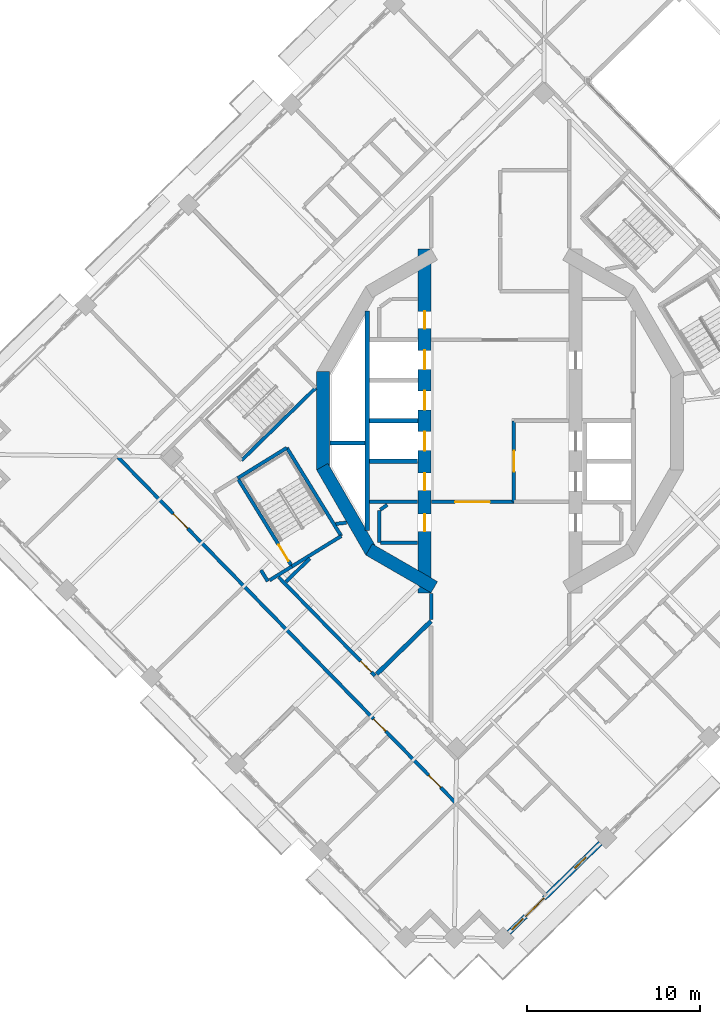
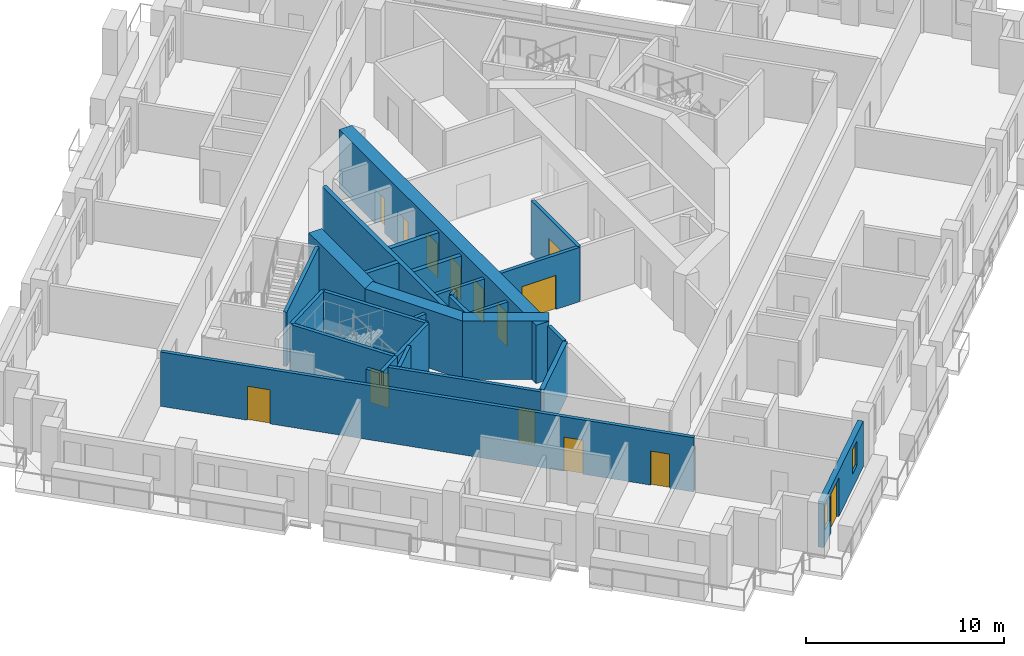
# One storey, part 8 of 20: 28 walls, 14 doors, 2 windows, 16 openings.
"""IFC4 building model written with IfcOpenShell, lengths in metres."""

from ifc_helpers import new_model, si_unit, direction, frame, frame_2d, origin, place, context, subcontext, project, spatial, rectangle, extrude, material, layer, layer_set, type_object, element, fill, save


model = new_model("IFC4")

# Units and contexts
model_context = context("Model", 3, precision=1e-05, world=origin(), true_north=direction((0.0, 1.0)))
body_context = subcontext(model_context, "Body", "Model", "MODEL_VIEW")
ifc_project = project(units=[si_unit("LENGTHUNIT", "METRE"), si_unit("AREAUNIT", "SQUARE_METRE"), si_unit("VOLUMEUNIT", "CUBIC_METRE"), si_unit("PLANEANGLEUNIT", "RADIAN"), si_unit("MASSUNIT", "GRAM", prefix="KILO")], contexts=[model_context])

# Site, building, storey
site_placement = place(None, origin())
site = spatial("IfcSite", under=ifc_project, at=site_placement, CompositionType="ELEMENT")
building_placement = place(site_placement, origin())
building = spatial("IfcBuilding", under=site, at=building_placement, Name="Cantera Rosa Tower", CompositionType="ELEMENT")
storey_placement = place(building_placement, frame((0.0, 0.0, 209.0)))
storey = spatial("IfcBuildingStorey", under=building, at=storey_placement, Name="L44", CompositionType="ELEMENT", Elevation=209.0)

# Wall, openings, doors
ifc_material_1 = material(Name="Gypsum board partition")
ifc_layer_1 = layer(ifc_material_1, 0.199951171875)
ifc_layer_set_1 = layer_set([ifc_layer_1], Name="CORRIDOR WALL 200 H3350")
wall_type_1 = type_object("IfcWallType", Name="CORRIDOR WALL 200 H3350", PredefinedType="PARTITIONING", material=ifc_layer_set_1)
wall_1_placement = place(storey_placement, frame((-22.109130859375, -2.125732421875, 0.0), z_axis=(0.0, 0.0, 1.0), x_axis=(0.698826334324, -0.715291377311, 0.0)))
wall_1 = element("IfcWall", 1, at=wall_1_placement, inside=storey, type_object=wall_type_1, Name="CORRIDOR WALL L44-002", PredefinedType="PARTITIONING", context=body_context, shape_type="SweptSolid", body=[
    extrude(rectangle(XDim=27.97998046875, YDim=0.199951171875, at=frame_2d((13.989990234375, 0.0))), origin(), (0.0, 0.0, 1.0), 3.35009765625),
])
opening_1_placement = place(wall_1_placement, frame((4.550048828125, 0.0, 0.0)))
opening_1 = element("IfcOpeningElement", 2, at=opening_1_placement, cuts=wall_1, Name="Opening L44-038", PredefinedType="OPENING", context=body_context, shape_type="SweptSolid", body=[
    extrude(rectangle(XDim=1.199951171875, YDim=2.10009765625, at=frame_2d((0.60009765625, 1.050048828125))), frame((0.0, 0.10986328125, 0.0), z_axis=(0.0, -1.0, 0.0), x_axis=(1.0, 0.0, 0.0)), (0.0, 0.0, 1.0), 0.219970703125),
])
opening_2_placement = place(wall_1_placement, frame((21.159912109375, 0.0, 0.0)))
opening_2 = element("IfcOpeningElement", 3, at=opening_2_placement, cuts=wall_1, Name="Opening L44-039", PredefinedType="OPENING", context=body_context, shape_type="SweptSolid", body=[
    extrude(rectangle(XDim=1.0, YDim=2.10009765625, at=frame_2d((0.5, 1.050048828125))), frame((0.0, 0.10986328125, 0.0), z_axis=(0.0, -1.0, 0.0), x_axis=(1.0, 0.0, 0.0)), (0.0, 0.0, 1.0), 0.219970703125),
])
opening_3_placement = place(wall_1_placement, frame((25.719970703125, 0.0, 0.0)))
opening_3 = element("IfcOpeningElement", 4, at=opening_3_placement, cuts=wall_1, Name="Opening L44-044", PredefinedType="OPENING", context=body_context, shape_type="SweptSolid", body=[
    extrude(rectangle(XDim=1.0, YDim=2.10009765625, at=frame_2d((0.5, 1.050048828125))), frame((0.0, 0.10986328125, 0.0), z_axis=(0.0, -1.0, 0.0), x_axis=(1.0, 0.0, 0.0)), (0.0, 0.0, 1.0), 0.219970703125),
])
ifc_material_2 = material(Name="Timber door leaf", Category="wood")
door_type_1 = type_object("IfcDoorType", Name="ENTRANCE DOOR 1000x2100", OperationType="NOTDEFINED", PredefinedType="DOOR", material=ifc_material_2)
door_1_placement = place(opening_2_placement, origin())
door_1 = element("IfcDoor", 5, at=door_1_placement, inside=storey, type_object=door_type_1, Name="DOOR L44-039", OperationType="NOTDEFINED", OverallHeight=2.10009765625, OverallWidth=1.0, PredefinedType="DOOR", context=body_context, shape_type="SweptSolid", body=[
    extrude(rectangle(XDim=1.0, YDim=2.10009765625, at=frame_2d((0.5, 1.050048828125))), frame((0.0, 0.02490234375, 0.0), z_axis=(0.0, -1.0, 0.0), x_axis=(1.0, 0.0, 0.0)), (0.0, 0.0, 1.0), 0.050048828125),
])
fill(opening_2, door_1)
ifc_material_3 = material(Name="Timber door leaf", Category="wood")
door_type_2 = type_object("IfcDoorType", Name="ROOM DOOR 1000x2100", OperationType="NOTDEFINED", PredefinedType="DOOR", material=ifc_material_3)
door_2_placement = place(opening_3_placement, origin())
door_2 = element("IfcDoor", 6, at=door_2_placement, inside=storey, type_object=door_type_2, Name="DOOR L44-044", OperationType="NOTDEFINED", OverallHeight=2.10009765625, OverallWidth=1.0, PredefinedType="DOOR", context=body_context, shape_type="SweptSolid", body=[
    extrude(rectangle(XDim=1.0, YDim=2.10009765625, at=frame_2d((0.5, 1.050048828125))), frame((0.0, 0.02490234375, 0.0), z_axis=(0.0, -1.0, 0.0), x_axis=(1.0, 0.0, 0.0)), (0.0, 0.0, 1.0), 0.050048828125),
])
fill(opening_3, door_2)
ifc_material_4 = material(Name="Timber door leaf", Category="wood")
door_type_3 = type_object("IfcDoorType", Name="ROOM DOOR 1200x2100", OperationType="NOTDEFINED", PredefinedType="DOOR", material=ifc_material_4)
door_3_placement = place(opening_1_placement, origin())
door_3 = element("IfcDoor", 7, at=door_3_placement, inside=storey, type_object=door_type_3, Name="DOOR L44-038", OperationType="NOTDEFINED", OverallHeight=2.10009765625, OverallWidth=1.199951171875, PredefinedType="DOOR", context=body_context, shape_type="SweptSolid", body=[
    extrude(rectangle(XDim=1.199951171875, YDim=2.10009765625, at=frame_2d((0.60009765625, 1.050048828125))), frame((0.0, 0.02490234375, 0.0), z_axis=(0.0, -1.0, 0.0), x_axis=(1.0, 0.0, 0.0)), (0.0, 0.0, 1.0), 0.050048828125),
])
fill(opening_1, door_3)

# Walls
wall_2_placement = place(storey_placement, frame((-13.8525390625, -8.64501953125, 0.0), z_axis=(0.0, 0.0, 1.0), x_axis=(0.52482706305, -0.851208877944, 0.0)))
element("IfcWall", 8, at=wall_2_placement, inside=storey, type_object=wall_type_1, Name="CORRIDOR WALL L44-010", PredefinedType="PARTITIONING", context=body_context, shape_type="SweptSolid", body=[
    extrude(rectangle(XDim=0.76513671875, YDim=0.199951171875, at=frame_2d((0.382568359375, 0.0))), origin(), (0.0, 0.0, 1.0), 3.35009765625),
])
wall_3_placement = place(storey_placement, frame((-13.3486328125, -9.2333984375, 0.0), z_axis=(0.0, 0.0, 1.0), x_axis=(0.851042101438, 0.525097459126, 0.0)))
element("IfcWall", 9, at=wall_3_placement, inside=storey, type_object=wall_type_1, Name="CORRIDOR WALL L44-016", PredefinedType="PARTITIONING", context=body_context, shape_type="SweptSolid", body=[
    extrude(rectangle(XDim=1.52490234375, YDim=0.199951171875, at=frame_2d((0.762451171875, 0.0))), origin(), (0.0, 0.0, 1.0), 3.35009765625),
])

# Wall, opening, door
wall_4_placement = place(storey_placement, frame((-12.828125, -9.0498046875, 0.0), z_axis=(0.0, 0.0, 1.0), x_axis=(0.698825688906, -0.715292007871, 0.0)))
wall_4 = element("IfcWall", 10, at=wall_4_placement, inside=storey, type_object=wall_type_1, Name="CORRIDOR WALL L44-019", PredefinedType="PARTITIONING", context=body_context, shape_type="SweptSolid", body=[
    extrude(rectangle(XDim=7.991455078125, YDim=0.199951171875, at=frame_2d((3.99560546875, 0.0))), origin(), (0.0, 0.0, 1.0), 3.35009765625),
])
opening_4_placement = place(wall_4_placement, frame((6.79150390625, 0.0, 0.0)))
opening_4 = element("IfcOpeningElement", 11, at=opening_4_placement, cuts=wall_4, Name="Opening L44-009", PredefinedType="OPENING", context=body_context, shape_type="SweptSolid", body=[
    extrude(rectangle(XDim=0.89990234375, YDim=2.10009765625, at=frame_2d((0.449951171875, 1.050048828125))), frame((0.0, 0.10986328125, 0.0), z_axis=(0.0, -1.0, 0.0), x_axis=(1.0, 0.0, 0.0)), (0.0, 0.0, 1.0), 0.219970703125),
])
ifc_material_5 = material(Name="Timber door leaf", Category="wood")
door_type_4 = type_object("IfcDoorType", Name="SERVICE DOOR 900x2100", OperationType="NOTDEFINED", PredefinedType="DOOR", material=ifc_material_5)
door_4_placement = place(opening_4_placement, origin())
door_4 = element("IfcDoor", 12, at=door_4_placement, inside=storey, type_object=door_type_4, Name="DOOR L44-009", OperationType="NOTDEFINED", OverallHeight=2.10009765625, OverallWidth=0.89990234375, PredefinedType="DOOR", context=body_context, shape_type="SweptSolid", body=[
    extrude(rectangle(XDim=0.89990234375, YDim=2.10009765625, at=frame_2d((0.449951171875, 1.050048828125))), frame((0.0, 0.02490234375, 0.0), z_axis=(0.0, -1.0, 0.0), x_axis=(1.0, 0.0, 0.0)), (0.0, 0.0, 1.0), 0.050048828125),
])
fill(opening_4, door_4)

# Wall
wall_5_placement = place(storey_placement, frame((-4.0, -9.994140625, 0.0), z_axis=(0.0, 0.0, 1.0), x_axis=(0.0, -1.0, 0.0)))
element("IfcWall", 13, at=wall_5_placement, inside=storey, type_object=wall_type_1, Name="CORRIDOR WALL L44-057", PredefinedType="PARTITIONING", context=body_context, shape_type="SweptSolid", body=[
    extrude(rectangle(XDim=1.52294921875, YDim=0.199951171875, at=frame_2d((0.761474609375, 0.0))), origin(), (0.0, 0.0, 1.0), 3.35009765625),
])

# Wall, opening, door
wall_6_placement = place(storey_placement, frame((0.800048828125, -4.699951171875, 0.0), z_axis=(0.0, 0.0, 1.0), x_axis=(-1.0, 0.0, 0.0)))
wall_6 = element("IfcWall", 14, at=wall_6_placement, inside=storey, type_object=wall_type_1, Name="CORRIDOR WALL L44-068", PredefinedType="PARTITIONING", context=body_context, shape_type="SweptSolid", body=[
    extrude(rectangle(XDim=4.77001953125, YDim=0.199951171875, at=frame_2d((2.385009765625, 0.0))), origin(), (0.0, 0.0, 1.0), 3.35009765625),
])
opening_5_placement = place(wall_6_placement, frame((1.39990234375, 0.0, 0.0)))
opening_5 = element("IfcOpeningElement", 15, at=opening_5_placement, cuts=wall_6, Name="Opening L44-015", PredefinedType="OPENING", context=body_context, shape_type="SweptSolid", body=[
    extrude(rectangle(XDim=2.0, YDim=2.10009765625, at=frame_2d((1.0, 1.050048828125))), frame((0.0, 0.10986328125, 0.0), z_axis=(0.0, -1.0, 0.0), x_axis=(1.0, 0.0, 0.0)), (0.0, 0.0, 1.0), 0.219970703125),
])
ifc_material_6 = material(Name="Steel S355J2 (EN 10025-2)", Category="steel")
door_type_5 = type_object("IfcDoorType", Name="LOBBY SCREEN DOOR 2000x2100", OperationType="NOTDEFINED", PredefinedType="DOOR", material=ifc_material_6)
door_5_placement = place(opening_5_placement, origin())
door_5 = element("IfcDoor", 16, at=door_5_placement, inside=storey, type_object=door_type_5, Name="DOOR L44-015", OperationType="NOTDEFINED", OverallHeight=2.10009765625, OverallWidth=2.0, PredefinedType="DOOR", context=body_context, shape_type="SweptSolid", body=[
    extrude(rectangle(XDim=2.0, YDim=2.10009765625, at=frame_2d((1.0, 1.050048828125))), frame((0.0, 0.02490234375, 0.0), z_axis=(0.0, -1.0, 0.0), x_axis=(1.0, 0.0, 0.0)), (0.0, 0.0, 1.0), 0.050048828125),
])
fill(opening_5, door_5)

# Wall, openings, windows, door
ifc_material_7 = material(Name="Hollow clay masonry with cantera stone cladding", Category="masonry")
ifc_layer_2 = layer(ifc_material_7, 0.300048828125)
ifc_layer_set_2 = layer_set([ifc_layer_2], Name="EW-LOGGIA 300 H2820")
wall_type_2 = type_object("IfcWallType", Name="EW-LOGGIA 300 H2820", PredefinedType="SOLIDWALL", material=ifc_layer_set_2)
wall_7_placement = place(storey_placement, frame((0.503662109375, -29.6357421875, 0.0), z_axis=(0.0, 0.0, 1.0), x_axis=(0.715284379566, 0.698833496871, 0.0)))
wall_7 = element("IfcWall", 17, at=wall_7_placement, inside=storey, type_object=wall_type_2, Name="EN-L44-W21", PredefinedType="SOLIDWALL", context=body_context, shape_type="SweptSolid", body=[
    extrude(rectangle(XDim=7.42041015625, YDim=0.300048828125, at=frame_2d((3.710205078125, 0.0))), origin(), (0.0, 0.0, 1.0), 2.820068359375),
])
opening_6_placement = place(wall_7_placement, frame((0.25, 0.0, 0.89990234375)))
opening_6 = element("IfcOpeningElement", 18, at=opening_6_placement, cuts=wall_7, Name="Opening L44-W37", PredefinedType="OPENING", context=body_context, shape_type="SweptSolid", body=[
    extrude(rectangle(XDim=0.89990234375, YDim=1.5, at=frame_2d((0.449951171875, 0.75))), frame((0.0, 0.159912109375, 0.0), z_axis=(0.0, -1.0, 0.0), x_axis=(1.0, 0.0, 0.0)), (0.0, 0.0, 1.0), 0.320068359375),
])
opening_7_placement = place(wall_7_placement, frame((1.35009765625, 0.0, 0.0)))
opening_7 = element("IfcOpeningElement", 19, at=opening_7_placement, cuts=wall_7, Name="Opening L44-TD38", PredefinedType="OPENING", context=body_context, shape_type="SweptSolid", body=[
    extrude(rectangle(XDim=1.5, YDim=2.39990234375, at=frame_2d((0.75, 1.199951171875))), frame((0.0, 0.159912109375, 0.0), z_axis=(0.0, -1.0, 0.0), x_axis=(1.0, 0.0, 0.0)), (0.0, 0.0, 1.0), 0.320068359375),
])
opening_8_placement = place(wall_7_placement, frame((5.340087890625, 0.0, 0.89990234375)))
opening_8 = element("IfcOpeningElement", 20, at=opening_8_placement, cuts=wall_7, Name="Opening L44-W39", PredefinedType="OPENING", context=body_context, shape_type="SweptSolid", body=[
    extrude(rectangle(XDim=0.89990234375, YDim=1.5, at=frame_2d((0.449951171875, 0.75))), frame((0.0, 0.159912109375, 0.0), z_axis=(0.0, -1.0, 0.0), x_axis=(1.0, 0.0, 0.0)), (0.0, 0.0, 1.0), 0.320068359375),
])
ifc_material_8 = material(Name="Aluminium frame with clear glass", Category="aluminium")
window_type = type_object("IfcWindowType", Name="Residential window 900x1500", PartitioningType="SINGLE_PANEL", PredefinedType="WINDOW", material=ifc_material_8)
window_1_placement = place(opening_6_placement, origin())
window_1 = element("IfcWindow", 21, at=window_1_placement, inside=storey, type_object=window_type, Name="WINDOW L44-W37", OverallHeight=1.5, OverallWidth=0.89990234375, PartitioningType="SINGLE_PANEL", PredefinedType="WINDOW", context=body_context, shape_type="SweptSolid", body=[
    extrude(rectangle(XDim=0.89990234375, YDim=1.5, at=frame_2d((0.449951171875, 0.75))), frame((0.0, 0.030029296875, 0.0), z_axis=(0.0, -1.0, 0.0), x_axis=(1.0, 0.0, 0.0)), (0.0, 0.0, 1.0), 0.06005859375),
])
fill(opening_6, window_1)
window_2_placement = place(opening_8_placement, origin())
window_2 = element("IfcWindow", 22, at=window_2_placement, inside=storey, type_object=window_type, Name="WINDOW L44-W39", OverallHeight=1.5, OverallWidth=0.89990234375, PartitioningType="SINGLE_PANEL", PredefinedType="WINDOW", context=body_context, shape_type="SweptSolid", body=[
    extrude(rectangle(XDim=0.89990234375, YDim=1.5, at=frame_2d((0.449951171875, 0.75))), frame((0.0, 0.030029296875, 0.0), z_axis=(0.0, -1.0, 0.0), x_axis=(1.0, 0.0, 0.0)), (0.0, 0.0, 1.0), 0.06005859375),
])
fill(opening_8, window_2)
ifc_material_9 = material(Name="Aluminium frame with clear glass", Category="aluminium")
door_type_6 = type_object("IfcDoorType", Name="TD-R 1500x2400", OperationType="NOTDEFINED", PredefinedType="DOOR", material=ifc_material_9)
door_6_placement = place(opening_7_placement, origin())
door_6 = element("IfcDoor", 23, at=door_6_placement, inside=storey, type_object=door_type_6, Name="LOGGIA DOOR L44-TD38", OperationType="SLIDING_TO_LEFT", OverallHeight=2.39990234375, OverallWidth=1.5, PredefinedType="DOOR", context=body_context, shape_type="SweptSolid", body=[
    extrude(rectangle(XDim=1.5, YDim=2.39990234375, at=frame_2d((0.75, 1.199951171875))), frame((0.0, 0.02490234375, 0.0), z_axis=(0.0, -1.0, 0.0), x_axis=(1.0, 0.0, 0.0)), (0.0, 0.0, 1.0), 0.050048828125),
])
fill(opening_7, door_6)

# Walls
ifc_material_10 = material(Name="Gypsum board partition")
ifc_layer_3 = layer(ifc_material_10, 0.199951171875)
ifc_layer_set_3 = layer_set([ifc_layer_3], Name="PARTITION 200 H3350")
wall_type_3 = type_object("IfcWallType", Name="PARTITION 200 H3350", PredefinedType="PARTITIONING", material=ifc_layer_set_3)
wall_8_placement = place(storey_placement, frame((-12.398681640625, -9.3173828125, 0.0), z_axis=(0.0, 0.0, 1.0), x_axis=(0.715286416819, 0.698831411654, 0.0)))
element("IfcWall", 24, at=wall_8_placement, inside=storey, type_object=wall_type_3, Name="PARTITION L44-022", PredefinedType="PARTITIONING", context=body_context, shape_type="SweptSolid", body=[
    extrude(rectangle(XDim=1.9287109375, YDim=0.199951171875, at=frame_2d((0.96435546875, 0.0))), origin(), (0.0, 0.0, 1.0), 3.35009765625),
])
wall_9_placement = place(storey_placement, frame((-8.8984375, -5.897705078125, 0.0), z_axis=(0.0, 0.0, 1.0), x_axis=(-0.99324363657, -0.11604774196, 0.0)))
element("IfcWall", 25, at=wall_9_placement, inside=storey, type_object=wall_type_3, Name="PARTITION L44-032", PredefinedType="PARTITIONING", context=body_context, shape_type="SweptSolid", body=[
    extrude(rectangle(XDim=0.624755859375, YDim=0.199951171875, at=frame_2d((0.3125, 0.0))), origin(), (0.0, 0.0, 1.0), 3.35009765625),
])
wall_10_placement = place(storey_placement, frame((-7.0, -7.050048828125, 0.0), z_axis=(0.0, 0.0, 1.0), x_axis=(0.0, 1.0, 0.0)))
element("IfcWall", 26, at=wall_10_placement, inside=storey, type_object=wall_type_3, Name="PARTITION L44-043", PredefinedType="PARTITIONING", context=body_context, shape_type="SweptSolid", body=[
    extrude(rectangle(XDim=1.85009765625, YDim=0.199951171875, at=frame_2d((0.925048828125, 0.0))), origin(), (0.0, 0.0, 1.0), 3.35009765625),
])
wall_11_placement = place(storey_placement, frame((-6.935302734375, -5.15283203125, 0.0), z_axis=(0.0, 0.0, 1.0), x_axis=(0.808368872862, 0.588676282338, 0.0)))
element("IfcWall", 27, at=wall_11_placement, inside=storey, type_object=wall_type_3, Name="PARTITION L44-044", PredefinedType="PARTITIONING", context=body_context, shape_type="SweptSolid", body=[
    extrude(rectangle(XDim=0.489013671875, YDim=0.199951171875, at=frame_2d((0.24462890625, 0.0))), origin(), (0.0, 0.0, 1.0), 3.35009765625),
])
wall_12_placement = place(storey_placement, frame((-4.780029296875, -7.050048828125, 0.0), z_axis=(0.0, 0.0, 1.0), x_axis=(-1.0, 0.0, 0.0)))
element("IfcWall", 28, at=wall_12_placement, inside=storey, type_object=wall_type_3, Name="PARTITION L44-052", PredefinedType="PARTITIONING", context=body_context, shape_type="SweptSolid", body=[
    extrude(rectangle(XDim=2.139892578125, YDim=0.199951171875, at=frame_2d((1.06982421875, 0.0))), origin(), (0.0, 0.0, 1.0), 3.35009765625),
])
wall_13_placement = place(storey_placement, frame((-4.780029296875, -4.699951171875, 0.0), z_axis=(0.0, 0.0, 1.0), x_axis=(-1.0, 0.0, 0.0)))
element("IfcWall", 29, at=wall_13_placement, inside=storey, type_object=wall_type_3, Name="PARTITION L44-053", PredefinedType="PARTITIONING", context=body_context, shape_type="SweptSolid", body=[
    extrude(rectangle(XDim=2.794921875, YDim=0.199951171875, at=frame_2d((1.3974609375, 0.0))), origin(), (0.0, 0.0, 1.0), 3.35009765625),
])
ifc_material_11 = material(Name="Concrete C60/75", Category="concrete")
ifc_layer_4 = layer(ifc_material_11, 0.75)
ifc_layer_set_4 = layer_set([ifc_layer_4], Name="RC CORE WALL 750 C60/75")
wall_type_4 = type_object("IfcWallType", Name="RC CORE WALL 750 C60/75", PredefinedType="SHEAR", material=ifc_layer_set_4)
wall_14_placement = place(storey_placement, frame((-3.8125, -9.634765625, 0.0), z_axis=(0.0, 0.0, 1.0), x_axis=(-0.866013176292, 0.50002117804, 0.0)))
element("IfcWall", 30, at=wall_14_placement, inside=storey, type_object=wall_type_4, Name="CW-W1 L44", PredefinedType="SHEAR", context=body_context, shape_type="SweptSolid", body=[
    extrude(rectangle(XDim=4.362548828125, YDim=0.75, at=frame_2d((2.18115234375, 0.0))), origin(), (0.0, 0.0, 1.0), 3.60009765625),
])
wall_15_placement = place(storey_placement, frame((-7.453369140625, -7.590576171875, 0.0), z_axis=(0.0, 0.0, 1.0), x_axis=(-0.500021842983, 0.866012792365, 0.0)))
element("IfcWall", 31, at=wall_15_placement, inside=storey, type_object=wall_type_4, Name="CW-W2 L44", PredefinedType="SHEAR", context=body_context, shape_type="SweptSolid", body=[
    extrude(rectangle(XDim=5.694091796875, YDim=0.75, at=frame_2d((2.84716796875, 0.0))), origin(), (0.0, 0.0, 1.0), 3.60009765625),
])
wall_16_placement = place(storey_placement, frame((-10.250244140625, -2.846923828125, 0.0), z_axis=(0.0, 0.0, 1.0), x_axis=(0.0, 1.0, 0.0)))
element("IfcWall", 32, at=wall_16_placement, inside=storey, type_object=wall_type_4, Name="CW-W3 L44", PredefinedType="SHEAR", context=body_context, shape_type="SweptSolid", body=[
    extrude(rectangle(XDim=5.69384765625, YDim=0.75, at=frame_2d((2.846923828125, 0.0))), origin(), (0.0, 0.0, 1.0), 3.60009765625),
])

# Wall, openings, doors
wall_17_placement = place(storey_placement, frame((-4.375, 9.95947265625, 0.0), z_axis=(0.0, 0.0, 1.0), x_axis=(0.0, -1.0, 0.0)))
wall_17 = element("IfcWall", 33, at=wall_17_placement, inside=storey, type_object=wall_type_4, Name="CW-W6 L44", PredefinedType="SHEAR", context=body_context, shape_type="SweptSolid", body=[
    extrude(rectangle(XDim=19.9189453125, YDim=0.75, at=frame_2d((9.95947265625, 0.0))), origin(), (0.0, 0.0, 1.0), 3.60009765625),
])
opening_9_placement = place(wall_17_placement, frame((10.58447265625, 0.0, 0.0)))
opening_9 = element("IfcOpeningElement", 34, at=opening_9_placement, cuts=wall_17, Name="Opening LD-H1-L44", PredefinedType="OPENING", context=body_context, shape_type="SweptSolid", body=[
    extrude(rectangle(XDim=1.10009765625, YDim=2.10009765625, at=frame_2d((0.550048828125, 1.050048828125))), frame((0.0, 0.385009765625, 0.0), z_axis=(0.0, -1.0, 0.0), x_axis=(1.0, 0.0, 0.0)), (0.0, 0.0, 1.0), 0.77001953125),
])
opening_10_placement = place(wall_17_placement, frame((8.234619140625, 0.0, 0.0)))
opening_10 = element("IfcOpeningElement", 35, at=opening_10_placement, cuts=wall_17, Name="Opening LD-H2-L44", PredefinedType="OPENING", context=body_context, shape_type="SweptSolid", body=[
    extrude(rectangle(XDim=1.10009765625, YDim=2.10009765625, at=frame_2d((0.550048828125, 1.050048828125))), frame((0.0, 0.385009765625, 0.0), z_axis=(0.0, -1.0, 0.0), x_axis=(1.0, 0.0, 0.0)), (0.0, 0.0, 1.0), 0.77001953125),
])
opening_11_placement = place(wall_17_placement, frame((5.884521484375, 0.0, 0.0)))
opening_11 = element("IfcOpeningElement", 36, at=opening_11_placement, cuts=wall_17, Name="Opening LD-H3-L44", PredefinedType="OPENING", context=body_context, shape_type="SweptSolid", body=[
    extrude(rectangle(XDim=1.10009765625, YDim=2.10009765625, at=frame_2d((0.550048828125, 1.050048828125))), frame((0.0, 0.385009765625, 0.0), z_axis=(0.0, -1.0, 0.0), x_axis=(1.0, 0.0, 0.0)), (0.0, 0.0, 1.0), 0.77001953125),
])
opening_12_placement = place(wall_17_placement, frame((15.368408203125, 0.0, 0.0)))
opening_12 = element("IfcOpeningElement", 37, at=opening_12_placement, cuts=wall_17, Name="Opening SD-L44-18", PredefinedType="OPENING", context=body_context, shape_type="SweptSolid", body=[
    extrude(rectangle(XDim=1.0, YDim=2.10009765625, at=frame_2d((0.5, 1.050048828125))), frame((0.0, 0.385009765625, 0.0), z_axis=(0.0, -1.0, 0.0), x_axis=(1.0, 0.0, 0.0)), (0.0, 0.0, 1.0), 0.77001953125),
])
opening_13_placement = place(wall_17_placement, frame((3.618408203125, 0.0, 0.0)))
opening_13 = element("IfcOpeningElement", 38, at=opening_13_placement, cuts=wall_17, Name="Opening SD-L44-19", PredefinedType="OPENING", context=body_context, shape_type="SweptSolid", body=[
    extrude(rectangle(XDim=1.0, YDim=2.10009765625, at=frame_2d((0.5, 1.050048828125))), frame((0.0, 0.385009765625, 0.0), z_axis=(0.0, -1.0, 0.0), x_axis=(1.0, 0.0, 0.0)), (0.0, 0.0, 1.0), 0.77001953125),
])
opening_14_placement = place(wall_17_placement, frame((12.984619140625, 0.0, 0.0)))
opening_14 = element("IfcOpeningElement", 39, at=opening_14_placement, cuts=wall_17, Name="Opening SD-L44-20", PredefinedType="OPENING", context=body_context, shape_type="SweptSolid", body=[
    extrude(rectangle(XDim=1.0, YDim=2.10009765625, at=frame_2d((0.5, 1.050048828125))), frame((0.0, 0.385009765625, 0.0), z_axis=(0.0, -1.0, 0.0), x_axis=(1.0, 0.0, 0.0)), (0.0, 0.0, 1.0), 0.77001953125),
])
ifc_material_12 = material(Name="Steel S355J2 (EN 10025-2)", Category="steel")
door_type_7 = type_object("IfcDoorType", Name="LANDING DOOR 1100x2100", OperationType="NOTDEFINED", PredefinedType="DOOR", material=ifc_material_12)
door_7_placement = place(opening_9_placement, origin())
door_7 = element("IfcDoor", 40, at=door_7_placement, inside=storey, type_object=door_type_7, Name="LANDING DOOR H1 L44", OperationType="SLIDING_TO_LEFT", OverallHeight=2.10009765625, OverallWidth=1.10009765625, PredefinedType="DOOR", context=body_context, shape_type="SweptSolid", body=[
    extrude(rectangle(XDim=1.10009765625, YDim=2.10009765625, at=frame_2d((0.550048828125, 1.050048828125))), frame((0.0, 0.02490234375, 0.0), z_axis=(0.0, -1.0, 0.0), x_axis=(1.0, 0.0, 0.0)), (0.0, 0.0, 1.0), 0.050048828125),
])
fill(opening_9, door_7)
door_8_placement = place(opening_10_placement, origin())
door_8 = element("IfcDoor", 41, at=door_8_placement, inside=storey, type_object=door_type_7, Name="LANDING DOOR H2 L44", OperationType="SLIDING_TO_LEFT", OverallHeight=2.10009765625, OverallWidth=1.10009765625, PredefinedType="DOOR", context=body_context, shape_type="SweptSolid", body=[
    extrude(rectangle(XDim=1.10009765625, YDim=2.10009765625, at=frame_2d((0.550048828125, 1.050048828125))), frame((0.0, 0.02490234375, 0.0), z_axis=(0.0, -1.0, 0.0), x_axis=(1.0, 0.0, 0.0)), (0.0, 0.0, 1.0), 0.050048828125),
])
fill(opening_10, door_8)
door_9_placement = place(opening_11_placement, origin())
door_9 = element("IfcDoor", 42, at=door_9_placement, inside=storey, type_object=door_type_7, Name="LANDING DOOR H3 L44", OperationType="SLIDING_TO_LEFT", OverallHeight=2.10009765625, OverallWidth=1.10009765625, PredefinedType="DOOR", context=body_context, shape_type="SweptSolid", body=[
    extrude(rectangle(XDim=1.10009765625, YDim=2.10009765625, at=frame_2d((0.550048828125, 1.050048828125))), frame((0.0, 0.02490234375, 0.0), z_axis=(0.0, -1.0, 0.0), x_axis=(1.0, 0.0, 0.0)), (0.0, 0.0, 1.0), 0.050048828125),
])
fill(opening_11, door_9)
ifc_material_13 = material(Name="Timber door leaf", Category="wood")
door_type_8 = type_object("IfcDoorType", Name="SERVICE DOOR 1000x2100", OperationType="NOTDEFINED", PredefinedType="DOOR", material=ifc_material_13)
door_10_placement = place(opening_12_placement, origin())
door_10 = element("IfcDoor", 43, at=door_10_placement, inside=storey, type_object=door_type_8, Name="DOOR L44-SD18", OperationType="NOTDEFINED", OverallHeight=2.10009765625, OverallWidth=1.0, PredefinedType="DOOR", context=body_context, shape_type="SweptSolid", body=[
    extrude(rectangle(XDim=1.0, YDim=2.10009765625, at=frame_2d((0.5, 1.050048828125))), frame((0.0, 0.02490234375, 0.0), z_axis=(0.0, -1.0, 0.0), x_axis=(1.0, 0.0, 0.0)), (0.0, 0.0, 1.0), 0.050048828125),
])
fill(opening_12, door_10)
door_11_placement = place(opening_13_placement, origin())
door_11 = element("IfcDoor", 44, at=door_11_placement, inside=storey, type_object=door_type_8, Name="DOOR L44-SD19", OperationType="NOTDEFINED", OverallHeight=2.10009765625, OverallWidth=1.0, PredefinedType="DOOR", context=body_context, shape_type="SweptSolid", body=[
    extrude(rectangle(XDim=1.0, YDim=2.10009765625, at=frame_2d((0.5, 1.050048828125))), frame((0.0, 0.02490234375, 0.0), z_axis=(0.0, -1.0, 0.0), x_axis=(1.0, 0.0, 0.0)), (0.0, 0.0, 1.0), 0.050048828125),
])
fill(opening_13, door_11)
door_12_placement = place(opening_14_placement, origin())
door_12 = element("IfcDoor", 45, at=door_12_placement, inside=storey, type_object=door_type_8, Name="DOOR L44-SD20", OperationType="NOTDEFINED", OverallHeight=2.10009765625, OverallWidth=1.0, PredefinedType="DOOR", context=body_context, shape_type="SweptSolid", body=[
    extrude(rectangle(XDim=1.0, YDim=2.10009765625, at=frame_2d((0.5, 1.050048828125))), frame((0.0, 0.02490234375, 0.0), z_axis=(0.0, -1.0, 0.0), x_axis=(1.0, 0.0, 0.0)), (0.0, 0.0, 1.0), 0.050048828125),
])
fill(opening_14, door_12)

# Walls
ifc_material_14 = material(Name="Masonry blockwork", Category="masonry")
ifc_layer_5 = layer(ifc_material_14, 0.25)
ifc_layer_set_5 = layer_set([ifc_layer_5], Name="SHAFT WALL 250 H3350")
wall_type_5 = type_object("IfcWallType", Name="SHAFT WALL 250 H3350", PredefinedType="SOLIDWALL", material=ifc_layer_set_5)
wall_18_placement = place(storey_placement, frame((-9.84521484375, -1.28271484375, 0.0), z_axis=(0.0, 0.0, 1.0), x_axis=(1.0, 0.0, 0.0)))
element("IfcWall", 46, at=wall_18_placement, inside=storey, type_object=wall_type_5, Name="SHAFT WALL L44-027", PredefinedType="SOLIDWALL", context=body_context, shape_type="SweptSolid", body=[
    extrude(rectangle(XDim=2.020263671875, YDim=0.25, at=frame_2d((1.01025390625, 0.0))), origin(), (0.0, 0.0, 1.0), 3.35009765625),
])
wall_19_placement = place(storey_placement, frame((-7.574951171875, -2.35009765625, 0.0), z_axis=(0.0, 0.0, 1.0), x_axis=(1.0, 0.0, 0.0)))
element("IfcWall", 47, at=wall_19_placement, inside=storey, type_object=wall_type_5, Name="SHAFT WALL L44-036", PredefinedType="SOLIDWALL", context=body_context, shape_type="SweptSolid", body=[
    extrude(rectangle(XDim=2.794921875, YDim=0.25, at=frame_2d((1.3974609375, 0.0))), origin(), (0.0, 0.0, 1.0), 3.35009765625),
])
wall_20_placement = place(storey_placement, frame((-7.574951171875, 0.0, 0.0), z_axis=(0.0, 0.0, 1.0), x_axis=(1.0, 0.0, 0.0)))
element("IfcWall", 48, at=wall_20_placement, inside=storey, type_object=wall_type_5, Name="SHAFT WALL L44-037", PredefinedType="SOLIDWALL", context=body_context, shape_type="SweptSolid", body=[
    extrude(rectangle(XDim=2.824951171875, YDim=0.25, at=frame_2d((1.41259765625, 0.0))), origin(), (0.0, 0.0, 1.0), 3.35009765625),
])
wall_21_placement = place(storey_placement, frame((-7.699951171875, 6.353515625, 0.0), z_axis=(0.0, 0.0, 1.0), x_axis=(0.0, -1.0, 0.0)))
element("IfcWall", 49, at=wall_21_placement, inside=storey, type_object=wall_type_5, Name="SHAFT WALL L44-040", PredefinedType="SOLIDWALL", context=body_context, shape_type="SweptSolid", body=[
    extrude(rectangle(XDim=12.70703125, YDim=0.25, at=frame_2d((6.353515625, 0.0))), origin(), (0.0, 0.0, 1.0), 3.35009765625),
])
wall_22_placement = place(storey_placement, frame((-4.0, -11.59716796875, 0.0), z_axis=(0.0, 0.0, 1.0), x_axis=(-0.715281237186, -0.698836713209, 0.0)))
element("IfcWall", 50, at=wall_22_placement, inside=storey, type_object=wall_type_5, Name="SHAFT WALL L44-055", PredefinedType="SOLIDWALL", context=body_context, shape_type="SweptSolid", body=[
    extrude(rectangle(XDim=4.39453125, YDim=0.25, at=frame_2d((2.197265625, 0.0))), origin(), (0.0, 0.0, 1.0), 3.35009765625),
])
ifc_material_15 = material(Name="Concrete C50/60", Category="concrete")
ifc_layer_6 = layer(ifc_material_15, 0.199951171875)
ifc_layer_set_6 = layer_set([ifc_layer_6], Name="STAIR WALL 200 H3350")
wall_type_6 = type_object("IfcWallType", Name="STAIR WALL 200 H3350", PredefinedType="SOLIDWALL", material=ifc_layer_set_6)
wall_23_placement = place(storey_placement, frame((-14.975341796875, -2.294677734375, 0.0), z_axis=(0.0, 0.0, 1.0), x_axis=(0.715278260946, 0.698839759471, 0.0)))
element("IfcWall", 51, at=wall_23_placement, inside=storey, type_object=wall_type_6, Name="STAIR WALL L44-014", PredefinedType="SOLIDWALL", context=body_context, shape_type="SweptSolid", body=[
    extrude(rectangle(XDim=6.0, YDim=0.199951171875, at=frame_2d((3.0, 0.0))), origin(), (0.0, 0.0, 1.0), 3.35009765625),
])
wall_24_placement = place(storey_placement, frame((-12.349365234375, -1.5673828125, 0.0), z_axis=(0.0, 0.0, 1.0), x_axis=(-0.85113993661, -0.524938861495, 0.0)))
element("IfcWall", 52, at=wall_24_placement, inside=storey, type_object=wall_type_6, Name="STAIR WALL L44-023", PredefinedType="SOLIDWALL", context=body_context, shape_type="SweptSolid", body=[
    extrude(rectangle(XDim=3.35009765625, YDim=0.199951171875, at=frame_2d((1.675048828125, 0.0))), origin(), (0.0, 0.0, 1.0), 3.35009765625),
])

# Wall, opening, door
wall_25_placement = place(storey_placement, frame((-12.05078125, -8.4326171875, 0.0), z_axis=(0.0, 0.0, 1.0), x_axis=(-0.524982543144, 0.851112994493, 0.0)))
wall_25 = element("IfcWall", 53, at=wall_25_placement, inside=storey, type_object=wall_type_6, Name="STAIR WALL L44-024", PredefinedType="SOLIDWALL", context=body_context, shape_type="SweptSolid", body=[
    extrude(rectangle(XDim=6.0, YDim=0.199951171875, at=frame_2d((3.0, 0.0))), origin(), (0.0, 0.0, 1.0), 3.35009765625),
])
opening_15_placement = place(wall_25_placement, frame((0.375, 0.0, 0.0)))
opening_15 = element("IfcOpeningElement", 54, at=opening_15_placement, cuts=wall_25, Name="Opening L44-005", PredefinedType="OPENING", context=body_context, shape_type="SweptSolid", body=[
    extrude(rectangle(XDim=1.10009765625, YDim=2.10009765625, at=frame_2d((0.550048828125, 1.050048828125))), frame((0.0, 0.10986328125, 0.0), z_axis=(0.0, -1.0, 0.0), x_axis=(1.0, 0.0, 0.0)), (0.0, 0.0, 1.0), 0.219970703125),
])
ifc_material_16 = material(Name="Steel S355J2 (EN 10025-2)", Category="steel")
door_type_9 = type_object("IfcDoorType", Name="STAIR DOOR 1100x2100", OperationType="NOTDEFINED", PredefinedType="DOOR", material=ifc_material_16)
door_13_placement = place(opening_15_placement, origin())
door_13 = element("IfcDoor", 55, at=door_13_placement, inside=storey, type_object=door_type_9, Name="DOOR L44-005", OperationType="NOTDEFINED", OverallHeight=2.10009765625, OverallWidth=1.10009765625, PredefinedType="DOOR", context=body_context, shape_type="SweptSolid", body=[
    extrude(rectangle(XDim=1.10009765625, YDim=2.10009765625, at=frame_2d((0.550048828125, 1.050048828125))), frame((0.0, 0.02490234375, 0.0), z_axis=(0.0, -1.0, 0.0), x_axis=(1.0, 0.0, 0.0)), (0.0, 0.0, 1.0), 0.050048828125),
])
fill(opening_15, door_13)

# Walls
wall_26_placement = place(storey_placement, frame((-9.199462890625, -6.674072265625, 0.0), z_axis=(0.0, 0.0, 1.0), x_axis=(-0.524982543144, 0.851112994493, 0.0)))
element("IfcWall", 56, at=wall_26_placement, inside=storey, type_object=wall_type_6, Name="STAIR WALL L44-030", PredefinedType="SOLIDWALL", context=body_context, shape_type="SweptSolid", body=[
    extrude(rectangle(XDim=6.0, YDim=0.199951171875, at=frame_2d((3.0, 0.0))), origin(), (0.0, 0.0, 1.0), 3.35009765625),
])
wall_27_placement = place(storey_placement, frame((-9.199462890625, -6.674072265625, 0.0), z_axis=(0.0, 0.0, 1.0), x_axis=(-0.85113993661, -0.524938861495, 0.0)))
element("IfcWall", 57, at=wall_27_placement, inside=storey, type_object=wall_type_6, Name="STAIR WALL L44-031", PredefinedType="SOLIDWALL", context=body_context, shape_type="SweptSolid", body=[
    extrude(rectangle(XDim=3.35009765625, YDim=0.199951171875, at=frame_2d((1.675048828125, 0.0))), origin(), (0.0, 0.0, 1.0), 3.35009765625),
])

# Wall, opening, door
wall_28_placement = place(storey_placement, frame((0.800048828125, -4.699951171875, 0.0), z_axis=(0.0, 0.0, 1.0), x_axis=(0.0, 1.0, 0.0)))
wall_28 = element("IfcWall", 58, at=wall_28_placement, inside=storey, type_object=wall_type_6, Name="STAIR WALL L44-069", PredefinedType="SOLIDWALL", context=body_context, shape_type="SweptSolid", body=[
    extrude(rectangle(XDim=4.699951171875, YDim=0.199951171875, at=frame_2d((2.35009765625, 0.0))), origin(), (0.0, 0.0, 1.0), 3.35009765625),
])
opening_16_placement = place(wall_28_placement, frame((1.75, 0.0, 0.0)))
opening_16 = element("IfcOpeningElement", 59, at=opening_16_placement, cuts=wall_28, Name="Opening L44-016", PredefinedType="OPENING", context=body_context, shape_type="SweptSolid", body=[
    extrude(rectangle(XDim=1.199951171875, YDim=2.10009765625, at=frame_2d((0.60009765625, 1.050048828125))), frame((0.0, 0.10986328125, 0.0), z_axis=(0.0, -1.0, 0.0), x_axis=(1.0, 0.0, 0.0)), (0.0, 0.0, 1.0), 0.219970703125),
])
ifc_material_17 = material(Name="Steel S355J2 (EN 10025-2)", Category="steel")
door_type_10 = type_object("IfcDoorType", Name="FIRE DOOR 1200x2100", OperationType="NOTDEFINED", PredefinedType="DOOR", material=ifc_material_17)
door_14_placement = place(opening_16_placement, origin())
door_14 = element("IfcDoor", 60, at=door_14_placement, inside=storey, type_object=door_type_10, Name="DOOR L44-016", OperationType="NOTDEFINED", OverallHeight=2.10009765625, OverallWidth=1.199951171875, PredefinedType="DOOR", context=body_context, shape_type="SweptSolid", body=[
    extrude(rectangle(XDim=1.199951171875, YDim=2.10009765625, at=frame_2d((0.60009765625, 1.050048828125))), frame((0.0, 0.02490234375, 0.0), z_axis=(0.0, -1.0, 0.0), x_axis=(1.0, 0.0, 0.0)), (0.0, 0.0, 1.0), 0.050048828125),
])
fill(opening_16, door_14)

save(model, "model.ifc")
